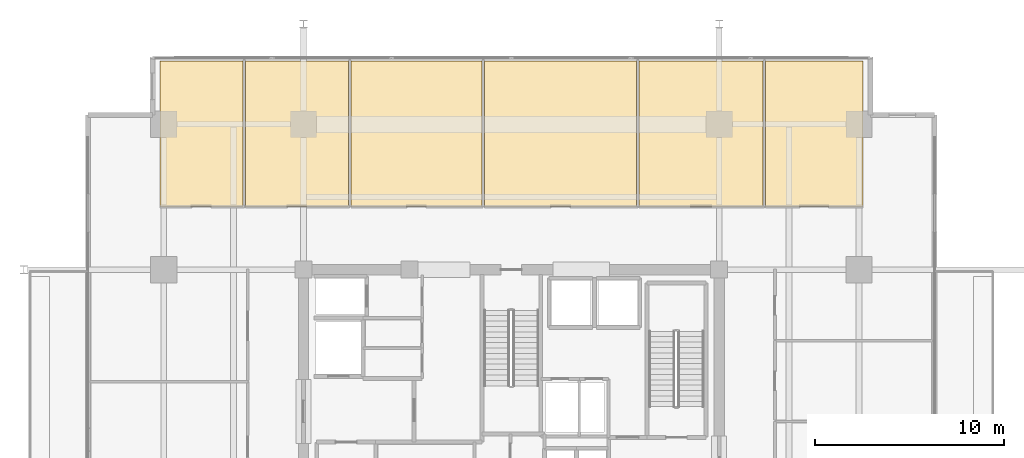
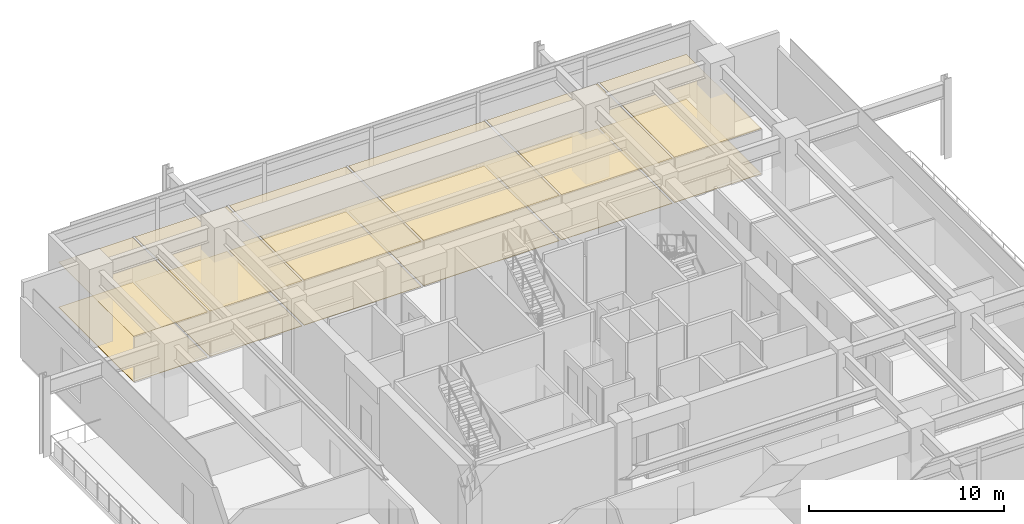
# One storey, part 19 of 19: 12 coverings.
"""IFC4 building model written with IfcOpenShell, lengths in metres."""

import ifcopenshell
import ifcopenshell.guid

model = None  # the IFC model being written
_history = None  # IfcOwnerHistory: only IFC2X3 demands one
_inside = {}  # id of a spatial element -> (the spatial element, [elements in it])
_under = {}  # id of a project, library or spatial element -> (it, [spatial elements below it])
_declared = {}  # id of a project -> (the project, [libraries it declares])
_typed = {}  # id of a type object -> (the type object, [elements of that type])
_made_of = {}  # id of a material, layer set ... -> (it, [elements and type objects made of it])


def new_model(schema):
    """Start an empty IFC model of exactly this schema.

    Asked for "IFC4X3", IfcOpenShell would pick the latest addendum, in which some entities
    have other attributes; the version numbers below select the first issue.
    IFC2X3 requires an IfcOwnerHistory on every rooted entity: one is made here for all.
    """
    global model, _history
    if schema == "IFC4X3":
        model = ifcopenshell.file(schema_version=(4, 3, 0, 0))
    else:
        model = ifcopenshell.file(schema=schema)
    _inside.clear()
    _under.clear()
    _declared.clear()
    _typed.clear()
    _made_of.clear()
    _history = None
    if model.schema == "IFC2X3":
        org = make("IfcOrganization", Name="unknown")
        user = make(
            "IfcPersonAndOrganization",
            ThePerson=make("IfcPerson", FamilyName="unknown"),
            TheOrganization=org,
        )
        app = make(
            "IfcApplication",
            ApplicationDeveloper=org,
            Version="unknown",
            ApplicationFullName="unknown",
            ApplicationIdentifier="unknown",
        )
        _history = make(
            "IfcOwnerHistory",
            OwningUser=user,
            OwningApplication=app,
            ChangeAction="ADDED",
            CreationDate=0,
        )
    return model


def make(cls, **values):
    """One entity of the class cls with the attributes given. An attribute that is None is left unset."""
    return model.create_entity(
        cls, **{name: value for name, value in values.items() if value is not None}
    )


def rooted(cls, **values):
    """An entity with a GlobalId (a new one), such as an element, a storey or a relation."""
    return make(cls, GlobalId=ifcopenshell.guid.new(), OwnerHistory=_history, **values)


def si_unit(unit_type, name, prefix=None):
    """IfcSIUnit, for example si_unit("LENGTHUNIT", "METRE", prefix="MILLI")."""
    return make("IfcSIUnit", UnitType=unit_type, Prefix=prefix, Name=name)


def assignment(units):
    """IfcUnitAssignment: the units of a project."""
    return None if units is None else make("IfcUnitAssignment", Units=units)


def point(xyz):
    """IfcCartesianPoint."""
    return None if xyz is None else make("IfcCartesianPoint", Coordinates=xyz)


def direction(xyz):
    """IfcDirection."""
    return None if xyz is None else make("IfcDirection", DirectionRatios=xyz)


def frame(location, z_axis=None, x_axis=None):
    """IfcAxis2Placement3D, a coordinate frame: its origin and axes. An axis left out is left unset."""
    return make(
        "IfcAxis2Placement3D",
        Location=point(location),
        Axis=direction(z_axis),
        RefDirection=direction(x_axis),
    )


def origin():
    """The frame at (0, 0, 0) with its axes left unset."""
    return frame((0.0, 0.0, 0.0))


def place(relative_to, where):
    """IfcLocalPlacement: puts the frame where relative to a parent placement (None: the world)."""
    return make(
        "IfcLocalPlacement", PlacementRelTo=relative_to, RelativePlacement=where
    )


def context(
    kind, dimensions, precision=None, world=None, true_north=None, identifier=None
):
    """IfcGeometricRepresentationContext, for example the 3D "Model" context."""
    return make(
        "IfcGeometricRepresentationContext",
        ContextIdentifier=identifier,
        ContextType=kind,
        CoordinateSpaceDimension=dimensions,
        Precision=precision,
        WorldCoordinateSystem=world,
        TrueNorth=true_north,
    )


def subcontext(parent, identifier, kind, view, scale=None):
    """IfcGeometricRepresentationSubContext, for example "Body" below "Model"."""
    return make(
        "IfcGeometricRepresentationSubContext",
        ContextIdentifier=identifier,
        ContextType=kind,
        ParentContext=parent,
        TargetScale=scale,
        TargetView=view,
    )


def project(units=None, contexts=None):
    """IfcProject with its units and contexts."""
    return rooted(
        "IfcProject",
        Name="project",
        RepresentationContexts=contexts,
        UnitsInContext=assignment(units),
    )


def spatial(cls, under=None, at=None, **own):
    """A site, building, storey or space (cls), placed at a placement, below another one or the project."""
    s = rooted(cls, ObjectPlacement=at, **own)
    if under is not None:
        _under.setdefault(under.id(), (under, []))[1].append(s)
    return s


def polyline(points):
    """IfcPolyline through the points."""
    return make("IfcPolyline", Points=[point(p) for p in points])


def outline(outer, holes=None, kind="AREA"):
    """IfcArbitraryClosedProfileDef: a profile drawn as a closed curve; with holes, ...WithVoids."""
    if holes is None:
        return make("IfcArbitraryClosedProfileDef", ProfileType=kind, OuterCurve=outer)
    return make(
        "IfcArbitraryProfileDefWithVoids",
        ProfileType=kind,
        OuterCurve=outer,
        InnerCurves=holes,
    )


def extrude(swept, where, along, depth):
    """IfcExtrudedAreaSolid: the profile swept, set in the frame where, extruded along a direction by depth."""
    return make(
        "IfcExtrudedAreaSolid",
        SweptArea=swept,
        Position=where,
        ExtrudedDirection=direction(along),
        Depth=depth,
    )


def shape(context_of_items, identifier, shape_type, items):
    """IfcShapeRepresentation: the items that make up one representation, for example the "Body"."""
    return make(
        "IfcShapeRepresentation",
        ContextOfItems=context_of_items,
        RepresentationIdentifier=identifier,
        RepresentationType=shape_type,
        Items=items,
    )


def material(Name=None, Category=None):
    """IfcMaterial."""
    return make("IfcMaterial", Name=Name, Category=Category)


def layer(
    of_material, thickness, ventilated=None, Name=None, Category=None, Priority=None
):
    """IfcMaterialLayer: one layer of a wall or slab, of a material (None: an air gap)."""
    return make(
        "IfcMaterialLayer",
        Material=of_material,
        LayerThickness=thickness,
        IsVentilated=ventilated,
        Name=Name,
        Category=Category,
        Priority=Priority,
    )


def layer_set(layers, Name=None):
    """IfcMaterialLayerSet."""
    return make("IfcMaterialLayerSet", MaterialLayers=layers, LayerSetName=Name)


def made_of(thing, what):
    """Note that an element or type object is made of a material, layer set ...; save() writes the relation."""
    if what is not None:
        _made_of.setdefault(what.id(), (what, []))[1].append(thing)
    return thing


def type_object(cls, material=None, **own):
    """A type object (cls), such as IfcWallType, which elements share."""
    return made_of(rooted(cls, **own), material)


def element(
    cls,
    number,
    at=None,
    inside=None,
    cuts=None,
    type_object=None,
    material=None,
    context=None,
    identifier="Body",
    shape_type=None,
    held_by="IfcProductDefinitionShape",
    body=None,
    shapes=None,
    **own,
):
    """One element of the class cls, such as IfcWall. Its Tag is "e" and its number.

    at: its placement. inside: the storey or other place that contains it. cuts: it is an
    opening in that element (IfcRelVoidsElement). A single representation is given by context,
    identifier, shape_type and body (its items); several are given by shapes. held_by: the class
    of the entity that holds the representations. save() writes the other relations.
    """
    e = rooted(cls, Tag="e%d" % number, ObjectPlacement=at, **own)
    if body is not None:
        shapes = [shape(context, identifier, shape_type, body)]
    if shapes is not None:
        e.Representation = make(held_by, Representations=shapes)
    if inside is not None:
        _inside.setdefault(inside.id(), (inside, []))[1].append(e)
    if cuts is not None:
        rooted(
            "IfcRelVoidsElement", RelatingBuildingElement=cuts, RelatedOpeningElement=e
        )
    if type_object is not None:
        _typed.setdefault(type_object.id(), (type_object, []))[1].append(e)
    return made_of(e, material)


def aggregate(whole, parts):
    """IfcRelAggregates: a whole, such as a stair, and the parts it consists of."""
    return rooted("IfcRelAggregates", RelatingObject=whole, RelatedObjects=parts)


def save(model, path):
    """Write the relations noted so far, then the file.

    IfcRelAggregates (storeys below a building ...), IfcRelContainedInSpatialStructure (elements
    in a storey), IfcRelDefinesByType, IfcRelAssociatesMaterial and IfcRelDeclares: one each for
    every whole, place, type object, material and project.
    """
    for whole, parts in _under.values():
        aggregate(whole, parts)
    for where, things in _inside.values():
        rooted(
            "IfcRelContainedInSpatialStructure",
            RelatedElements=things,
            RelatingStructure=where,
        )
    for kind, things in _typed.values():
        rooted("IfcRelDefinesByType", RelatedObjects=things, RelatingType=kind)
    for what, things in _made_of.values():
        rooted("IfcRelAssociatesMaterial", RelatedObjects=things, RelatingMaterial=what)
    for by, libraries in _declared.values():
        rooted("IfcRelDeclares", RelatingContext=by, RelatedDefinitions=libraries)
    model.write(path)


model = new_model("IFC4")

# Units and contexts
model_context = context("Model", 3, precision=1e-05, world=origin(), true_north=direction((0.0, 1.0)))
body_context = subcontext(model_context, "Body", "Model", "MODEL_VIEW")
ifc_project = project(units=[si_unit("LENGTHUNIT", "METRE"), si_unit("AREAUNIT", "SQUARE_METRE"), si_unit("VOLUMEUNIT", "CUBIC_METRE"), si_unit("PLANEANGLEUNIT", "RADIAN"), si_unit("MASSUNIT", "GRAM", prefix="KILO")], contexts=[model_context])

# Site, building, storey
site_placement = place(None, origin())
site = spatial("IfcSite", under=ifc_project, at=site_placement, CompositionType="ELEMENT")
building_placement = place(site_placement, origin())
building = spatial("IfcBuilding", under=site, at=building_placement, Name="Kovane Verandah Tower", CompositionType="ELEMENT")
storey_placement = place(building_placement, frame((0.0, 0.0, 184.39990234375)))
storey = spatial("IfcBuildingStorey", under=building, at=storey_placement, Name="L43", CompositionType="ELEMENT", Elevation=184.39990234375)

# Coverings
ifc_material_1 = material(Name="Perforated Acoustic Mineral-Fibre Ceiling Tile", Category="gypsum")
ifc_layer_1 = layer(ifc_material_1, 0.02490234375)
ifc_layer_set_1 = layer_set([ifc_layer_1], Name="Perforated Acoustic Mineral-Fibre Ceiling Tile")
covering_type_1 = type_object("IfcCoveringType", Name="CV-CEIL-25", PredefinedType="CEILING", material=ifc_layer_set_1)
covering_1_placement = place(storey_placement, frame((0.0, 0.0, 2.8251953125)))
element("IfcCovering", 1, at=covering_1_placement, inside=storey, type_object=covering_type_1, Name="L43 Sky-Garden Botanical Co-Working Hall N1 Acoustic Ceiling", PredefinedType="CEILING", context=body_context, shape_type="SweptSolid", body=[
    extrude(outline(polyline([(21.39990234375, 39.85009765625), (25.7939453125, 39.85009765625), (25.7939453125, 47.550048828125), (21.39990234375, 47.550048828125), (21.39990234375, 39.85009765625)])), origin(), (0.0, 0.0, 1.0), 0.02490234375),
])
covering_2_placement = place(storey_placement, frame((0.0, 0.0, 2.8251953125)))
element("IfcCovering", 2, at=covering_2_placement, inside=storey, type_object=covering_type_1, Name="L43 Collaboration Hub N2 Acoustic Ceiling", PredefinedType="CEILING", context=body_context, shape_type="SweptSolid", body=[
    extrude(outline(polyline([(25.93408203125, 39.85009765625), (31.3740234375, 39.85009765625), (31.3740234375, 47.550048828125), (25.93408203125, 47.550048828125), (25.93408203125, 39.85009765625)])), origin(), (0.0, 0.0, 1.0), 0.02490234375),
])
covering_3_placement = place(storey_placement, frame((0.0, 0.0, 2.8251953125)))
element("IfcCovering", 3, at=covering_3_placement, inside=storey, type_object=covering_type_1, Name="L43 Document and Print Room N3 Acoustic Ceiling", PredefinedType="CEILING", context=body_context, shape_type="SweptSolid", body=[
    extrude(outline(polyline([(31.513916015625, 39.85009765625), (38.44189453125, 39.85009765625), (38.44189453125, 47.550048828125), (31.513916015625, 47.550048828125), (31.513916015625, 39.85009765625)])), origin(), (0.0, 0.0, 1.0), 0.02490234375),
])
covering_4_placement = place(storey_placement, frame((0.0, 0.0, 2.8251953125)))
element("IfcCovering", 4, at=covering_4_placement, inside=storey, type_object=covering_type_1, Name="L43 Open Plan Office N4 Acoustic Ceiling", PredefinedType="CEILING", context=body_context, shape_type="SweptSolid", body=[
    extrude(outline(polyline([(38.58203125, 39.85009765625), (46.6259765625, 39.85009765625), (46.6259765625, 47.550048828125), (38.58203125, 47.550048828125), (38.58203125, 39.85009765625)])), origin(), (0.0, 0.0, 1.0), 0.02490234375),
])
covering_5_placement = place(storey_placement, frame((0.0, 0.0, 2.8251953125)))
element("IfcCovering", 5, at=covering_5_placement, inside=storey, type_object=covering_type_1, Name="L43 Executive Office N5 Acoustic Ceiling", PredefinedType="CEILING", context=body_context, shape_type="SweptSolid", body=[
    extrude(outline(polyline([(46.76611328125, 39.85009765625), (53.322021484375, 39.85009765625), (53.322021484375, 47.550048828125), (46.76611328125, 47.550048828125), (46.76611328125, 39.85009765625)])), origin(), (0.0, 0.0, 1.0), 0.02490234375),
])
covering_6_placement = place(storey_placement, frame((0.0, 0.0, 2.8251953125)))
element("IfcCovering", 6, at=covering_6_placement, inside=storey, type_object=covering_type_1, Name="L43 Client Boardroom N6 Acoustic Ceiling", PredefinedType="CEILING", context=body_context, shape_type="SweptSolid", body=[
    extrude(outline(polyline([(53.4619140625, 39.85009765625), (58.60009765625, 39.85009765625), (58.60009765625, 47.550048828125), (53.4619140625, 47.550048828125), (53.4619140625, 39.85009765625)])), origin(), (0.0, 0.0, 1.0), 0.02490234375),
])
ifc_material_2 = material(Name="Polished Terrazzo and Raised-Access Carpet Tile Finish", Category="concrete")
ifc_layer_2 = layer(ifc_material_2, 0.030029296875)
ifc_layer_set_2 = layer_set([ifc_layer_2], Name="Polished Terrazzo and Raised-Access Carpet Tile Finish")
covering_type_2 = type_object("IfcCoveringType", Name="CV-FLOR-30", PredefinedType="FLOORING", material=ifc_layer_set_2)
covering_7_placement = place(storey_placement, origin())
element("IfcCovering", 7, at=covering_7_placement, inside=storey, type_object=covering_type_2, Name="L43 Sky-Garden Botanical Co-Working Hall N1 Floor Finish", PredefinedType="FLOORING", context=body_context, shape_type="SweptSolid", body=[
    extrude(outline(polyline([(21.39990234375, 39.85009765625), (25.7939453125, 39.85009765625), (25.7939453125, 47.550048828125), (21.39990234375, 47.550048828125), (21.39990234375, 39.85009765625)])), origin(), (0.0, 0.0, 1.0), 0.030029296875),
])
covering_8_placement = place(storey_placement, origin())
element("IfcCovering", 8, at=covering_8_placement, inside=storey, type_object=covering_type_2, Name="L43 Collaboration Hub N2 Floor Finish", PredefinedType="FLOORING", context=body_context, shape_type="SweptSolid", body=[
    extrude(outline(polyline([(25.93408203125, 39.85009765625), (31.3740234375, 39.85009765625), (31.3740234375, 47.550048828125), (25.93408203125, 47.550048828125), (25.93408203125, 39.85009765625)])), origin(), (0.0, 0.0, 1.0), 0.030029296875),
])
covering_9_placement = place(storey_placement, origin())
element("IfcCovering", 9, at=covering_9_placement, inside=storey, type_object=covering_type_2, Name="L43 Document and Print Room N3 Floor Finish", PredefinedType="FLOORING", context=body_context, shape_type="SweptSolid", body=[
    extrude(outline(polyline([(31.513916015625, 39.85009765625), (38.44189453125, 39.85009765625), (38.44189453125, 47.550048828125), (31.513916015625, 47.550048828125), (31.513916015625, 39.85009765625)])), origin(), (0.0, 0.0, 1.0), 0.030029296875),
])
covering_10_placement = place(storey_placement, origin())
element("IfcCovering", 10, at=covering_10_placement, inside=storey, type_object=covering_type_2, Name="L43 Open Plan Office N4 Floor Finish", PredefinedType="FLOORING", context=body_context, shape_type="SweptSolid", body=[
    extrude(outline(polyline([(38.58203125, 39.85009765625), (46.6259765625, 39.85009765625), (46.6259765625, 47.550048828125), (38.58203125, 47.550048828125), (38.58203125, 39.85009765625)])), origin(), (0.0, 0.0, 1.0), 0.030029296875),
])
covering_11_placement = place(storey_placement, origin())
element("IfcCovering", 11, at=covering_11_placement, inside=storey, type_object=covering_type_2, Name="L43 Executive Office N5 Floor Finish", PredefinedType="FLOORING", context=body_context, shape_type="SweptSolid", body=[
    extrude(outline(polyline([(46.76611328125, 39.85009765625), (53.322021484375, 39.85009765625), (53.322021484375, 47.550048828125), (46.76611328125, 47.550048828125), (46.76611328125, 39.85009765625)])), origin(), (0.0, 0.0, 1.0), 0.030029296875),
])
covering_12_placement = place(storey_placement, origin())
element("IfcCovering", 12, at=covering_12_placement, inside=storey, type_object=covering_type_2, Name="L43 Client Boardroom N6 Floor Finish", PredefinedType="FLOORING", context=body_context, shape_type="SweptSolid", body=[
    extrude(outline(polyline([(53.4619140625, 39.85009765625), (58.60009765625, 39.85009765625), (58.60009765625, 47.550048828125), (53.4619140625, 47.550048828125), (53.4619140625, 39.85009765625)])), origin(), (0.0, 0.0, 1.0), 0.030029296875),
])

save(model, "model.ifc")
